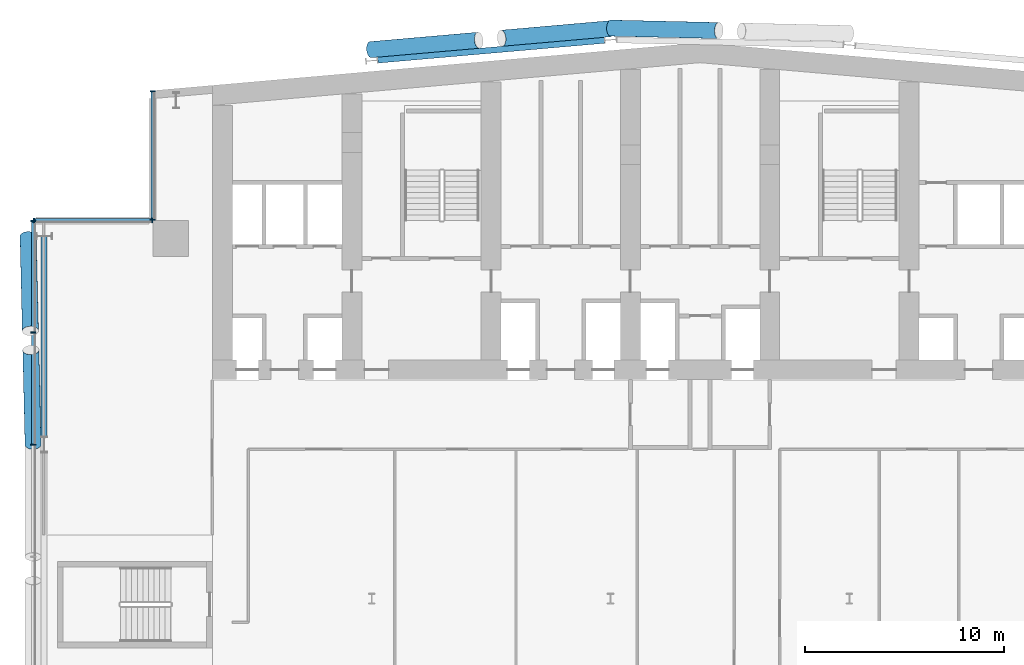
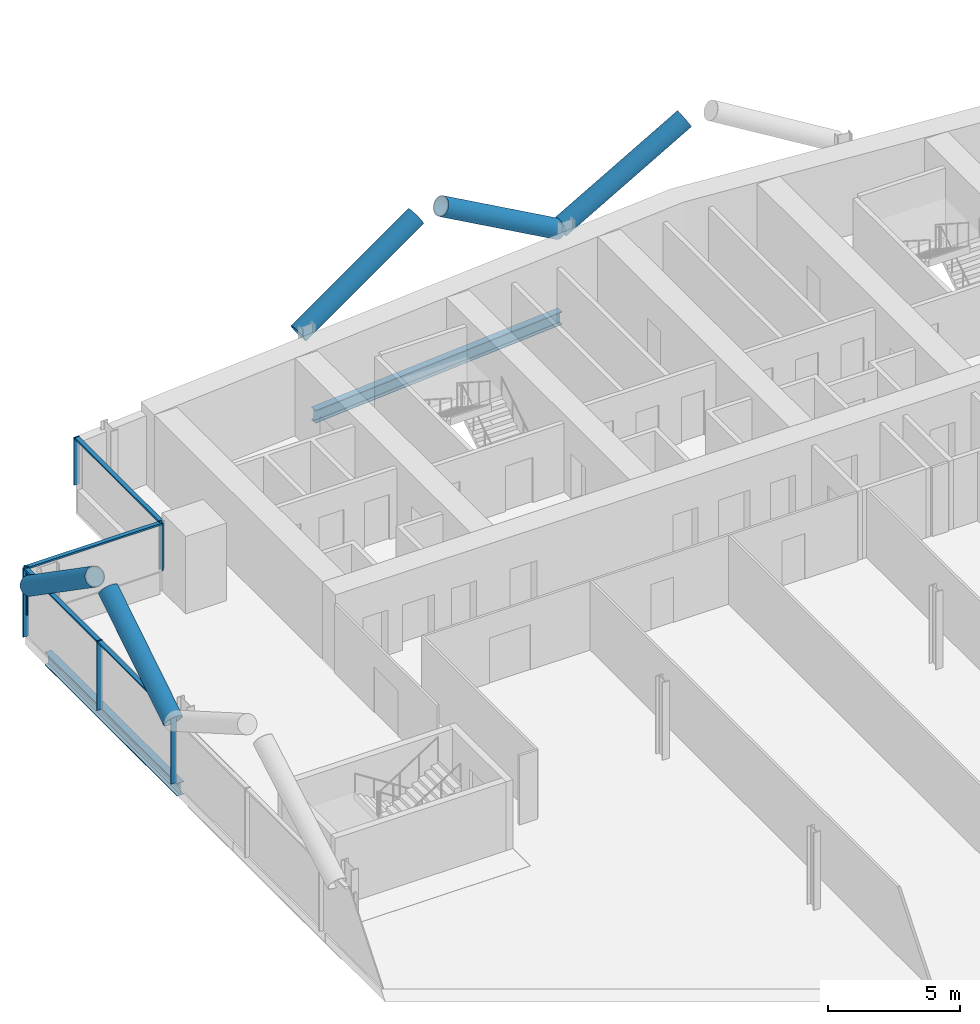
# One storey, part 8 of 25: 16 members, 2 beams, 3 elements without a shape of their own.
"""IFC4 building model written with IfcOpenShell, lengths in metres."""

from ifc_helpers import new_model, si_unit, direction, frame, origin, origin_2d, place, context, subcontext, project, spatial, rectangle, hollow_circle, i_section, extrude, material, material_profile, profile_set, type_object, element, aggregate, save


model = new_model("IFC4")

# Units and contexts
model_context = context("Model", 3, precision=1e-05, world=origin(), true_north=direction((0.0, 1.0)))
body_context = subcontext(model_context, "Body", "Model", "MODEL_VIEW")
ifc_project = project(units=[si_unit("LENGTHUNIT", "METRE"), si_unit("AREAUNIT", "SQUARE_METRE"), si_unit("VOLUMEUNIT", "CUBIC_METRE"), si_unit("PLANEANGLEUNIT", "RADIAN"), si_unit("MASSUNIT", "GRAM", prefix="KILO")], contexts=[model_context])

# Site, building, storey
site_placement = place(None, origin())
site = spatial("IfcSite", under=ifc_project, at=site_placement, CompositionType="ELEMENT")
building_placement = place(site_placement, origin())
building = spatial("IfcBuilding", under=site, at=building_placement, Name="Wharfspan Tower", CompositionType="ELEMENT")
storey_placement = place(building_placement, frame((0.0, 0.0, 129.100098)))
storey = spatial("IfcBuildingStorey", under=building, at=storey_placement, Name="L30", CompositionType="ELEMENT", Elevation=129.100098)

# Beams
ifc_material_1 = material(Name="Steel S355J2", Category="steel")
ifc_material_profile_1 = material_profile(ifc_material_1, i_section(OverallWidth=0.300049, OverallDepth=0.600098, WebThickness=0.015381, FlangeThickness=0.030029, FilletRadius=0.0271, at=origin_2d()))
ifc_profile_set_1 = profile_set([ifc_material_profile_1], Name="Steel S355J2")
beam_type = type_object("IfcBeamType", Name="Edge beam HEB 600", PredefinedType="SPANDREL", material=ifc_profile_set_1)
beam_1_placement = place(storey_placement, frame((35.695068, 51.050537, -0.700195), z_axis=(-0.996194, -0.087162, 0.0), x_axis=(0.087162, -0.996194, 0.0)))
element("IfcBeam", 1, at=beam_1_placement, inside=storey, type_object=beam_type, Name="Edge beam N1 L30 R.2 to R.1", PredefinedType="SPANDREL", context=body_context, shape_type="SweptSolid", body=[
    extrude(i_section(OverallWidth=0.300049, OverallDepth=0.600098, WebThickness=0.015381, FlangeThickness=0.030029, FilletRadius=0.0271, at=origin_2d()), origin(), (0.0, 0.0, 1.0), 11.433594),
])
beam_2_placement = place(storey_placement, frame((7.544434, 41.201416, -0.700195), z_axis=(-0.000412, -1.0, 0.0), x_axis=(1.0, -0.000412, 0.0)))
element("IfcBeam", 2, at=beam_2_placement, inside=storey, type_object=beam_type, Name="Edge beam W L30 PNRW-H.1 to PW.1", PredefinedType="SPANDREL", context=body_context, shape_type="SweptSolid", body=[
    extrude(i_section(OverallWidth=0.300049, OverallDepth=0.600098, WebThickness=0.015381, FlangeThickness=0.030029, FilletRadius=0.0271, at=origin_2d()), origin(), (0.0, 0.0, 1.0), 10.065186),
])

# Curtain wall, members
ifc_material_2 = material(Name="Aluminium 6063-T6", Category="aluminium")
curtain_wall_type = type_object("IfcCurtainWallType", Name="CURTAIN WALL PROW AND END", PredefinedType="NOTDEFINED", material=ifc_material_2)
curtain_wall_1_placement = place(storey_placement, origin())
curtain_wall_1 = element("IfcCurtainWall", 3, at=curtain_wall_1_placement, inside=storey, type_object=curtain_wall_type, Name="Curtain wall NRW-V", PredefinedType="NOTDEFINED")
ifc_material_profile_2 = material_profile(ifc_material_2, rectangle(XDim=0.23999, YDim=0.060059, at=origin_2d()))
ifc_profile_set_2 = profile_set([ifc_material_profile_2], Name="Aluminium 6063-T6")
member_type_1 = type_object("IfcMemberType", Name="MULLION PROW AND END 60x240", PredefinedType="MULLION", material=ifc_profile_set_2)
member_1_placement = place(storey_placement, frame((13.0, 48.494873, 1.0), z_axis=(0.0, 0.0, 1.0), x_axis=(1.0, 0.0, 0.0)))
member_1 = element("IfcMember", 4, at=member_1_placement, type_object=member_type_1, Name="Curtain wall NRW-V mullion 1", PredefinedType="MULLION", context=body_context, shape_type="SweptSolid", body=[
    extrude(rectangle(XDim=0.23999, YDim=0.060059, at=origin_2d()), origin(), (0.0, 0.0, 1.0), 2.199951),
])
member_2_placement = place(storey_placement, frame((13.0, 42.030029, 1.0), z_axis=(0.0, 0.0, 1.0), x_axis=(1.0, 0.0, 0.0)))
member_2 = element("IfcMember", 5, at=member_2_placement, type_object=member_type_1, Name="Curtain wall NRW-V mullion 2", PredefinedType="MULLION", context=body_context, shape_type="SweptSolid", body=[
    extrude(rectangle(XDim=0.23999, YDim=0.060059, at=origin_2d()), origin(), (0.0, 0.0, 1.0), 2.199951),
])

curtain_wall_2_placement = place(storey_placement, origin())
curtain_wall_2 = element("IfcCurtainWall", 6, at=curtain_wall_2_placement, inside=storey, type_object=curtain_wall_type, Name="Curtain wall NRW-H", PredefinedType="NOTDEFINED")
member_3_placement = place(storey_placement, frame((12.969971, 42.0, 1.0), z_axis=(0.0, 0.0, 1.0), x_axis=(0.0, -1.0, 0.0)))
member_3 = element("IfcMember", 7, at=member_3_placement, type_object=member_type_1, Name="Curtain wall NRW-H mullion 1", PredefinedType="MULLION", context=body_context, shape_type="SweptSolid", body=[
    extrude(rectangle(XDim=0.23999, YDim=0.060059, at=origin_2d()), origin(), (0.0, 0.0, 1.0), 2.199951),
])
member_4_placement = place(storey_placement, frame((7.030029, 42.0, 1.0), z_axis=(0.0, 0.0, 1.0), x_axis=(0.0, -1.0, 0.0)))
member_4 = element("IfcMember", 8, at=member_4_placement, type_object=member_type_1, Name="Curtain wall NRW-H mullion 2", PredefinedType="MULLION", context=body_context, shape_type="SweptSolid", body=[
    extrude(rectangle(XDim=0.23999, YDim=0.060059, at=origin_2d()), origin(), (0.0, 0.0, 1.0), 2.199951),
])

curtain_wall_3_placement = place(storey_placement, origin())
curtain_wall_3 = element("IfcCurtainWall", 9, at=curtain_wall_3_placement, inside=storey, type_object=curtain_wall_type, Name="Curtain wall W", PredefinedType="NOTDEFINED")
member_5_placement = place(storey_placement, frame((7.0, 41.969971, 0.0), z_axis=(0.0, 0.0, 1.0), x_axis=(1.0, 0.0, 0.0)))
member_5 = element("IfcMember", 10, at=member_5_placement, type_object=member_type_1, Name="Curtain wall W mullion 1", PredefinedType="MULLION", context=body_context, shape_type="SweptSolid", body=[
    extrude(rectangle(XDim=0.23999, YDim=0.060059, at=origin_2d()), origin(), (0.0, 0.0, 1.0), 3.199951),
])
member_6_placement = place(storey_placement, frame((7.0, 36.366699, 0.0), z_axis=(0.0, 0.0, 1.0), x_axis=(1.0, 0.0, 0.0)))
member_6 = element("IfcMember", 11, at=member_6_placement, type_object=member_type_1, Name="Curtain wall W mullion 2", PredefinedType="MULLION", context=body_context, shape_type="SweptSolid", body=[
    extrude(rectangle(XDim=0.23999, YDim=0.060059, at=origin_2d()), origin(), (0.0, 0.0, 1.0), 3.199951),
])
member_7_placement = place(storey_placement, frame((7.0, 30.733398, 0.0), z_axis=(0.0, 0.0, 1.0), x_axis=(1.0, 0.0, 0.0)))
member_7 = element("IfcMember", 12, at=member_7_placement, type_object=member_type_1, Name="Curtain wall W mullion 3", PredefinedType="MULLION", context=body_context, shape_type="SweptSolid", body=[
    extrude(rectangle(XDim=0.23999, YDim=0.060059, at=origin_2d()), origin(), (0.0, 0.0, 1.0), 3.199951),
])

# Members
ifc_material_3 = material(Name="Steel S460NH", Category="steel")
ifc_material_profile_3 = material_profile(ifc_material_3, hollow_circle(Radius=0.406494, WallThickness=0.040039, at=origin_2d()))
ifc_profile_set_3 = profile_set([ifc_material_profile_3], Name="Steel S460NH")
member_type_2 = type_object("IfcMemberType", Name="Mega brace CHS 813x40", PredefinedType="BRACE", material=ifc_profile_set_3)
for number, where, z_axis, x_axis, name in (
    (13, (6.734131, 41.208008, 2.899902), (0.019722, -0.823926, 0.566354), (0.999713, 0.023927, -4e-06), "Mega brace W4 L31 part 1"),
    (14, (6.985107, 30.733398, 2.899902), (-0.019765, 0.823912, 0.566373), (-0.999715, -0.023981, -2e-06), "Mega brace W4 L31 part 3"),
):
    element("IfcMember", number, at=place(storey_placement, frame(where, z_axis=z_axis, x_axis=x_axis)), inside=storey, type_object=member_type_2, Name=name, PredefinedType="BRACE", context=body_context, shape_type="SweptSolid", body=[
        extrude(hollow_circle(Radius=0.406494, WallThickness=0.040039, at=origin_2d()), origin(), (0.0, 0.0, 1.0), 5.768555),
    ])
member_8_placement = place(storey_placement, frame((36.012939, 51.665771, 2.899902), z_axis=(0.857317, -0.019649, 0.514413), x_axis=(0.022912, 0.999739, 2e-06)))
element("IfcMember", 15, at=member_8_placement, inside=storey, type_object=member_type_2, Name="Mega brace N7 L31 part 1", PredefinedType="BRACE", context=body_context, shape_type="SweptSolid", body=[
    extrude(hollow_circle(Radius=0.406494, WallThickness=0.040039, at=origin_2d()), origin(), (0.0, 0.0, 1.0), 6.324463),
])
member_9_placement = place(storey_placement, frame((23.95166, 50.581299, 2.899902), z_axis=(0.855079, 0.074777, 0.513078), x_axis=(-0.087118, 0.996199, 0.0)))
element("IfcMember", 16, at=member_9_placement, inside=storey, type_object=member_type_2, Name="Mega brace N8 L31 part 1", PredefinedType="BRACE", context=body_context, shape_type="SweptSolid", body=[
    extrude(hollow_circle(Radius=0.406494, WallThickness=0.040039, at=origin_2d()), origin(), (0.0, 0.0, 1.0), 6.340576),
])
member_10_placement = place(storey_placement, frame((35.95166, 51.631104, 2.899902), z_axis=(-0.855087, -0.074812, 0.51306), x_axis=(0.087157, -0.996195, -1e-06)))
element("IfcMember", 17, at=member_10_placement, inside=storey, type_object=member_type_2, Name="Mega brace N8 L31 part 3", PredefinedType="BRACE", context=body_context, shape_type="SweptSolid", body=[
    extrude(hollow_circle(Radius=0.406494, WallThickness=0.040039, at=origin_2d()), origin(), (0.0, 0.0, 1.0), 6.34082),
])

# Member
ifc_material_profile_4 = material_profile(ifc_material_2, rectangle(XDim=0.179932, YDim=0.080078, at=origin_2d()))
ifc_profile_set_4 = profile_set([ifc_material_profile_4], Name="Aluminium 6063-T6")
member_type_3 = type_object("IfcMemberType", Name="TRANSOM PROW AND END 80x180", PredefinedType="USERDEFINED", material=ifc_profile_set_4)
member_11_placement = place(storey_placement, frame((13.0, 48.464844, 3.159912), z_axis=(0.0, -1.0, 0.0), x_axis=(1.0, 0.0, 0.0)))
member_11 = element("IfcMember", 18, at=member_11_placement, type_object=member_type_3, Name="Curtain wall NRW-V transom 1", ObjectType="TRANSOM", PredefinedType="USERDEFINED", context=body_context, shape_type="SweptSolid", body=[
    extrude(rectangle(XDim=0.179932, YDim=0.080078, at=origin_2d()), origin(), (0.0, 0.0, 1.0), 6.404785),
])

aggregate(curtain_wall_1, [member_1, member_2, member_11])

member_12_placement = place(storey_placement, frame((12.939941, 42.0, 3.159912), z_axis=(-1.0, 0.0, 0.0), x_axis=(0.0, -1.0, 0.0)))
member_12 = element("IfcMember", 19, at=member_12_placement, type_object=member_type_3, Name="Curtain wall NRW-H transom 1", ObjectType="TRANSOM", PredefinedType="USERDEFINED", context=body_context, shape_type="SweptSolid", body=[
    extrude(rectangle(XDim=0.179932, YDim=0.080078, at=origin_2d()), origin(), (0.0, 0.0, 1.0), 5.879883),
])

aggregate(curtain_wall_2, [member_3, member_4, member_12])

member_13_placement = place(storey_placement, frame((7.0, 41.939941, 3.159912), z_axis=(0.0, -1.0, 0.0), x_axis=(1.0, 0.0, 0.0)))
member_13 = element("IfcMember", 20, at=member_13_placement, type_object=member_type_3, Name="Curtain wall W transom 1", ObjectType="TRANSOM", PredefinedType="USERDEFINED", context=body_context, shape_type="SweptSolid", body=[
    extrude(rectangle(XDim=0.179932, YDim=0.080078, at=origin_2d()), origin(), (0.0, 0.0, 1.0), 5.543213),
])

member_14_placement = place(storey_placement, frame((7.0, 36.33667, 3.159912), z_axis=(0.0, -1.0, 0.0), x_axis=(1.0, 0.0, 0.0)))
member_14 = element("IfcMember", 21, at=member_14_placement, type_object=member_type_3, Name="Curtain wall W transom 2", ObjectType="TRANSOM", PredefinedType="USERDEFINED", context=body_context, shape_type="SweptSolid", body=[
    extrude(rectangle(XDim=0.179932, YDim=0.080078, at=origin_2d()), origin(), (0.0, 0.0, 1.0), 5.573242),
])

aggregate(curtain_wall_3, [member_5, member_6, member_7, member_13, member_14])

save(model, "model.ifc")
